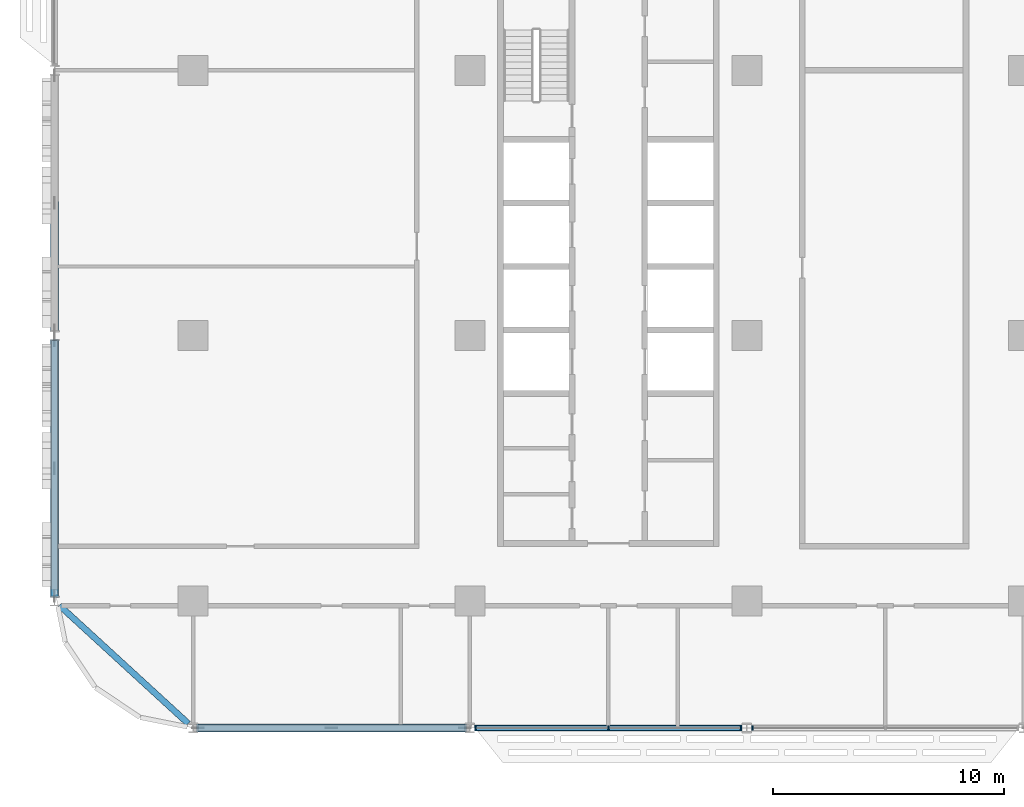
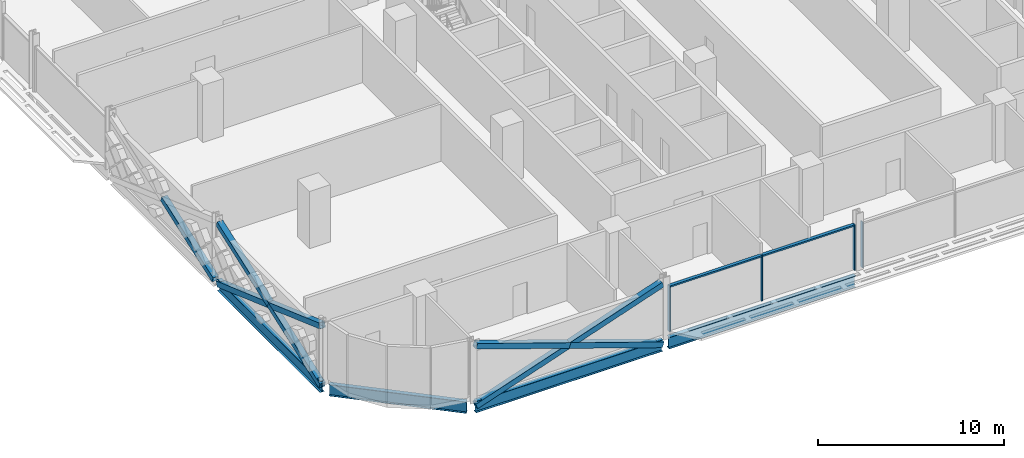
# One storey, part 3 of 29: 13 members, 4 beams, 2 elements without a shape of their own.
"""IFC4 building model written with IfcOpenShell, lengths in metres."""

import ifcopenshell
import ifcopenshell.guid

model = None  # the IFC model being written
_history = None  # IfcOwnerHistory: only IFC2X3 demands one
_inside = {}  # id of a spatial element -> (the spatial element, [elements in it])
_under = {}  # id of a project, library or spatial element -> (it, [spatial elements below it])
_declared = {}  # id of a project -> (the project, [libraries it declares])
_typed = {}  # id of a type object -> (the type object, [elements of that type])
_made_of = {}  # id of a material, layer set ... -> (it, [elements and type objects made of it])


def new_model(schema):
    """Start an empty IFC model of exactly this schema.

    Asked for "IFC4X3", IfcOpenShell would pick the latest addendum, in which some entities
    have other attributes; the version numbers below select the first issue.
    IFC2X3 requires an IfcOwnerHistory on every rooted entity: one is made here for all.
    """
    global model, _history
    if schema == "IFC4X3":
        model = ifcopenshell.file(schema_version=(4, 3, 0, 0))
    else:
        model = ifcopenshell.file(schema=schema)
    _inside.clear()
    _under.clear()
    _declared.clear()
    _typed.clear()
    _made_of.clear()
    _history = None
    if model.schema == "IFC2X3":
        org = make("IfcOrganization", Name="unknown")
        user = make(
            "IfcPersonAndOrganization",
            ThePerson=make("IfcPerson", FamilyName="unknown"),
            TheOrganization=org,
        )
        app = make(
            "IfcApplication",
            ApplicationDeveloper=org,
            Version="unknown",
            ApplicationFullName="unknown",
            ApplicationIdentifier="unknown",
        )
        _history = make(
            "IfcOwnerHistory",
            OwningUser=user,
            OwningApplication=app,
            ChangeAction="ADDED",
            CreationDate=0,
        )
    return model


def make(cls, **values):
    """One entity of the class cls with the attributes given. An attribute that is None is left unset."""
    return model.create_entity(
        cls, **{name: value for name, value in values.items() if value is not None}
    )


def rooted(cls, **values):
    """An entity with a GlobalId (a new one), such as an element, a storey or a relation."""
    return make(cls, GlobalId=ifcopenshell.guid.new(), OwnerHistory=_history, **values)


def si_unit(unit_type, name, prefix=None):
    """IfcSIUnit, for example si_unit("LENGTHUNIT", "METRE", prefix="MILLI")."""
    return make("IfcSIUnit", UnitType=unit_type, Prefix=prefix, Name=name)


def assignment(units):
    """IfcUnitAssignment: the units of a project."""
    return None if units is None else make("IfcUnitAssignment", Units=units)


def point(xyz):
    """IfcCartesianPoint."""
    return None if xyz is None else make("IfcCartesianPoint", Coordinates=xyz)


def direction(xyz):
    """IfcDirection."""
    return None if xyz is None else make("IfcDirection", DirectionRatios=xyz)


def frame(location, z_axis=None, x_axis=None):
    """IfcAxis2Placement3D, a coordinate frame: its origin and axes. An axis left out is left unset."""
    return make(
        "IfcAxis2Placement3D",
        Location=point(location),
        Axis=direction(z_axis),
        RefDirection=direction(x_axis),
    )


def frame_2d(location, x_axis=None):
    """IfcAxis2Placement2D, a coordinate frame in the plane: its origin and x axis."""
    return make(
        "IfcAxis2Placement2D", Location=point(location), RefDirection=direction(x_axis)
    )


def origin():
    """The frame at (0, 0, 0) with its axes left unset."""
    return frame((0.0, 0.0, 0.0))


def origin_2d():
    """The frame at (0, 0) in the plane with its x axis left unset."""
    return frame_2d((0.0, 0.0))


def place(relative_to, where):
    """IfcLocalPlacement: puts the frame where relative to a parent placement (None: the world)."""
    return make(
        "IfcLocalPlacement", PlacementRelTo=relative_to, RelativePlacement=where
    )


def context(
    kind, dimensions, precision=None, world=None, true_north=None, identifier=None
):
    """IfcGeometricRepresentationContext, for example the 3D "Model" context."""
    return make(
        "IfcGeometricRepresentationContext",
        ContextIdentifier=identifier,
        ContextType=kind,
        CoordinateSpaceDimension=dimensions,
        Precision=precision,
        WorldCoordinateSystem=world,
        TrueNorth=true_north,
    )


def subcontext(parent, identifier, kind, view, scale=None):
    """IfcGeometricRepresentationSubContext, for example "Body" below "Model"."""
    return make(
        "IfcGeometricRepresentationSubContext",
        ContextIdentifier=identifier,
        ContextType=kind,
        ParentContext=parent,
        TargetScale=scale,
        TargetView=view,
    )


def project(units=None, contexts=None):
    """IfcProject with its units and contexts."""
    return rooted(
        "IfcProject",
        Name="project",
        RepresentationContexts=contexts,
        UnitsInContext=assignment(units),
    )


def spatial(cls, under=None, at=None, **own):
    """A site, building, storey or space (cls), placed at a placement, below another one or the project."""
    s = rooted(cls, ObjectPlacement=at, **own)
    if under is not None:
        _under.setdefault(under.id(), (under, []))[1].append(s)
    return s


def profile(cls, at=None, kind="AREA", **sizes):
    """A parametric profile (cls). Its sizes go by their IFC names, for example OverallWidth=200.0."""
    return make(cls, ProfileType=kind, Position=at, **sizes)


def rectangle(**sizes):
    """IfcRectangleProfileDef."""
    return profile("IfcRectangleProfileDef", **sizes)


def hollow_rectangle(**sizes):
    """IfcRectangleHollowProfileDef."""
    return profile("IfcRectangleHollowProfileDef", **sizes)


def i_section(**sizes):
    """IfcIShapeProfileDef."""
    return profile("IfcIShapeProfileDef", **sizes)


def extrude(swept, where, along, depth):
    """IfcExtrudedAreaSolid: the profile swept, set in the frame where, extruded along a direction by depth."""
    return make(
        "IfcExtrudedAreaSolid",
        SweptArea=swept,
        Position=where,
        ExtrudedDirection=direction(along),
        Depth=depth,
    )


def shape(context_of_items, identifier, shape_type, items):
    """IfcShapeRepresentation: the items that make up one representation, for example the "Body"."""
    return make(
        "IfcShapeRepresentation",
        ContextOfItems=context_of_items,
        RepresentationIdentifier=identifier,
        RepresentationType=shape_type,
        Items=items,
    )


def material(Name=None, Category=None):
    """IfcMaterial."""
    return make("IfcMaterial", Name=Name, Category=Category)


def material_profile(
    of_material, cross_section, Name=None, Category=None, Priority=None
):
    """IfcMaterialProfile: a cross section and its material."""
    return make(
        "IfcMaterialProfile",
        Name=Name,
        Material=of_material,
        Profile=cross_section,
        Priority=Priority,
        Category=Category,
    )


def profile_set(profiles, Name=None, composite=None):
    """IfcMaterialProfileSet."""
    return make(
        "IfcMaterialProfileSet",
        Name=Name,
        MaterialProfiles=profiles,
        CompositeProfile=composite,
    )


def made_of(thing, what):
    """Note that an element or type object is made of a material, layer set ...; save() writes the relation."""
    if what is not None:
        _made_of.setdefault(what.id(), (what, []))[1].append(thing)
    return thing


def type_object(cls, material=None, **own):
    """A type object (cls), such as IfcWallType, which elements share."""
    return made_of(rooted(cls, **own), material)


def element(
    cls,
    number,
    at=None,
    inside=None,
    cuts=None,
    type_object=None,
    material=None,
    context=None,
    identifier="Body",
    shape_type=None,
    held_by="IfcProductDefinitionShape",
    body=None,
    shapes=None,
    **own,
):
    """One element of the class cls, such as IfcWall. Its Tag is "e" and its number.

    at: its placement. inside: the storey or other place that contains it. cuts: it is an
    opening in that element (IfcRelVoidsElement). A single representation is given by context,
    identifier, shape_type and body (its items); several are given by shapes. held_by: the class
    of the entity that holds the representations. save() writes the other relations.
    """
    e = rooted(cls, Tag="e%d" % number, ObjectPlacement=at, **own)
    if body is not None:
        shapes = [shape(context, identifier, shape_type, body)]
    if shapes is not None:
        e.Representation = make(held_by, Representations=shapes)
    if inside is not None:
        _inside.setdefault(inside.id(), (inside, []))[1].append(e)
    if cuts is not None:
        rooted(
            "IfcRelVoidsElement", RelatingBuildingElement=cuts, RelatedOpeningElement=e
        )
    if type_object is not None:
        _typed.setdefault(type_object.id(), (type_object, []))[1].append(e)
    return made_of(e, material)


def aggregate(whole, parts):
    """IfcRelAggregates: a whole, such as a stair, and the parts it consists of."""
    return rooted("IfcRelAggregates", RelatingObject=whole, RelatedObjects=parts)


def save(model, path):
    """Write the relations noted so far, then the file.

    IfcRelAggregates (storeys below a building ...), IfcRelContainedInSpatialStructure (elements
    in a storey), IfcRelDefinesByType, IfcRelAssociatesMaterial and IfcRelDeclares: one each for
    every whole, place, type object, material and project.
    """
    for whole, parts in _under.values():
        aggregate(whole, parts)
    for where, things in _inside.values():
        rooted(
            "IfcRelContainedInSpatialStructure",
            RelatedElements=things,
            RelatingStructure=where,
        )
    for kind, things in _typed.values():
        rooted("IfcRelDefinesByType", RelatedObjects=things, RelatingType=kind)
    for what, things in _made_of.values():
        rooted("IfcRelAssociatesMaterial", RelatedObjects=things, RelatingMaterial=what)
    for by, libraries in _declared.values():
        rooted("IfcRelDeclares", RelatingContext=by, RelatedDefinitions=libraries)
    model.write(path)


model = new_model("IFC4")

# Units and contexts
model_context = context("Model", 3, precision=1e-05, world=origin(), true_north=direction((0.0, 1.0)))
body_context = subcontext(model_context, "Body", "Model", "MODEL_VIEW")
ifc_project = project(units=[si_unit("LENGTHUNIT", "METRE"), si_unit("AREAUNIT", "SQUARE_METRE"), si_unit("VOLUMEUNIT", "CUBIC_METRE"), si_unit("PLANEANGLEUNIT", "RADIAN"), si_unit("MASSUNIT", "GRAM", prefix="KILO")], contexts=[model_context])

# Site, building, storey
site_placement = place(None, origin())
site = spatial("IfcSite", under=ifc_project, at=site_placement, CompositionType="ELEMENT")
building_placement = place(site_placement, origin())
building = spatial("IfcBuilding", under=site, at=building_placement, Name="Mahtab Terrace Research Tower", CompositionType="ELEMENT")
storey_placement = place(building_placement, frame((0.0, 0.0, 142.5)))
storey = spatial("IfcBuildingStorey", under=building, at=storey_placement, Name="L33", CompositionType="ELEMENT", Elevation=142.5)

# Members
ifc_material_1 = material(Name="Steel ASTM A500 Gr C", Category="steel")
ifc_material_profile_1 = material_profile(ifc_material_1, hollow_rectangle(XDim=0.355712890625, YDim=0.355712890625, WallThickness=0.01904296875, at=origin_2d()), Name="HSS14X14X3/4")
ifc_profile_set_1 = profile_set([ifc_material_profile_1], Name="Steel ASTM A500 Gr C")
member_type_1 = type_object("IfcMemberType", Name="HSS 14x14x3/4 brace XB141434", PredefinedType="BRACE", material=ifc_profile_set_1)
member_1_placement = place(storey_placement, frame((-48.0, 0.217041015625, -0.64111328125), z_axis=(0.0, 0.941925134484, 0.335822931061), x_axis=(-1.0, 0.0, 0.0)))
element("IfcMember", 1, at=member_1_placement, inside=storey, type_object=member_type_1, Name="Exoskeleton brace L33 11 b1", PredefinedType="BRACE", context=body_context, shape_type="SweptSolid", body=[
    extrude(hollow_rectangle(XDim=0.355712890625, YDim=0.355712890625, WallThickness=0.01904296875, at=origin_2d()), origin(), (0.0, 0.0, 1.0), 5.8740234375),
])
member_2_placement = place(storey_placement, frame((-48.0, -0.217041015625, -0.64111328125), z_axis=(0.0, -0.941925134484, 0.335822931061), x_axis=(1.0, 0.0, 0.0)))
element("IfcMember", 2, at=member_2_placement, inside=storey, type_object=member_type_1, Name="Exoskeleton brace L33 12 a", PredefinedType="BRACE", context=body_context, shape_type="SweptSolid", body=[
    extrude(hollow_rectangle(XDim=0.355712890625, YDim=0.355712890625, WallThickness=0.01904296875, at=origin_2d()), origin(), (0.0, 0.0, 1.0), 11.748291015625),
])
for number, where, z_axis, x_axis, name in (
    (3, (-48.0, -11.282958984375, -0.64111328125), (0.0, 0.941925134484, 0.335822931061), (-1.0, 0.0, 0.0), "Exoskeleton brace L33 12 b1"),
    (4, (-48.0, -5.75, 1.33154296875), (0.0, 0.941925134484, 0.335822931061), (-1.0, 0.0, 0.0), "Exoskeleton brace L33 12 b2"),
):
    element("IfcMember", number, at=place(storey_placement, frame(where, z_axis=z_axis, x_axis=x_axis)), inside=storey, type_object=member_type_1, Name=name, PredefinedType="BRACE", context=body_context, shape_type="SweptSolid", body=[
        extrude(hollow_rectangle(XDim=0.355712890625, YDim=0.355712890625, WallThickness=0.01904296875, at=origin_2d()), origin(), (0.0, 0.0, 1.0), 5.8740234375),
    ])
member_3_placement = place(storey_placement, frame((-41.794189453125, -17.0, -0.648193359375), z_axis=(0.946288278, 0.0, 0.323324132908), x_axis=(0.0, 1.0, 0.0)))
element("IfcMember", 5, at=member_3_placement, inside=storey, type_object=member_type_1, Name="Exoskeleton brace L33 14 a", PredefinedType="BRACE", context=body_context, shape_type="SweptSolid", body=[
    extrude(hollow_rectangle(XDim=0.355712890625, YDim=0.355712890625, WallThickness=0.01904296875, at=origin_2d()), origin(), (0.0, 0.0, 1.0), 12.24609375),
])
for number, where, z_axis, x_axis, name in (
    (6, (-30.205810546875, -17.0, -0.648193359375), (-0.946288278, 0.0, 0.323324132908), (0.0, -1.0, 0.0), "Exoskeleton brace L33 14 b1"),
    (7, (-36.0, -17.0, 1.33154296875), (-0.946288278, 0.0, 0.323324132908), (0.0, -1.0, 0.0), "Exoskeleton brace L33 14 b2"),
):
    element("IfcMember", number, at=place(storey_placement, frame(where, z_axis=z_axis, x_axis=x_axis)), inside=storey, type_object=member_type_1, Name=name, PredefinedType="BRACE", context=body_context, shape_type="SweptSolid", body=[
        extrude(hollow_rectangle(XDim=0.355712890625, YDim=0.355712890625, WallThickness=0.01904296875, at=origin_2d()), origin(), (0.0, 0.0, 1.0), 6.123046875),
    ])

# Curtain wall, members
ifc_material_2 = material(Name="Laboratory ribbon curtain wall")
curtain_wall_type = type_object("IfcCurtainWallType", Name="Laboratory ribbon curtain wall", PredefinedType="NOTDEFINED", material=ifc_material_2)
curtain_wall_1_placement = place(storey_placement, origin())
curtain_wall_1 = element("IfcCurtainWall", 8, at=curtain_wall_1_placement, inside=storey, type_object=curtain_wall_type, Name="EN.L33.13.25", PredefinedType="NOTDEFINED")
ifc_material_3 = material(Name="Natural anodised aluminium", Category="aluminium")
ifc_material_profile_2 = material_profile(ifc_material_3, rectangle(XDim=0.199951171875, YDim=0.06494140625, at=origin_2d()), Name="MULLION 65x200")
ifc_profile_set_2 = profile_set([ifc_material_profile_2], Name="Natural anodised aluminium")
member_type_2 = type_object("IfcMemberType", Name="Laboratory ribbon curtain wall mullion", PredefinedType="MULLION", material=ifc_profile_set_2)
member_4_placement = place(storey_placement, frame((-29.74951171875, -17.0, 0.0), z_axis=(0.0, 0.0, 1.0), x_axis=(0.0, 1.0, 0.0)))
member_4 = element("IfcMember", 9, at=member_4_placement, type_object=member_type_2, Name="CWL-4 mullion 1", PredefinedType="MULLION", context=body_context, shape_type="SweptSolid", body=[
    extrude(rectangle(XDim=0.199951171875, YDim=0.06494140625, at=origin_2d()), origin(), (0.0, 0.0, 1.0), 3.003173828125),
])
member_5_placement = place(storey_placement, frame((-24.0, -17.0, 0.0), z_axis=(0.0, 0.0, 1.0), x_axis=(0.0, 1.0, 0.0)))
member_5 = element("IfcMember", 10, at=member_5_placement, type_object=member_type_2, Name="CWL-4 mullion 2", PredefinedType="MULLION", context=body_context, shape_type="SweptSolid", body=[
    extrude(rectangle(XDim=0.199951171875, YDim=0.06494140625, at=origin_2d()), origin(), (0.0, 0.0, 1.0), 3.003173828125),
])
member_6_placement = place(storey_placement, frame((-18.25048828125, -17.0, 0.0), z_axis=(0.0, 0.0, 1.0), x_axis=(0.0, 1.0, 0.0)))
member_6 = element("IfcMember", 11, at=member_6_placement, type_object=member_type_2, Name="CWL-4 mullion 3", PredefinedType="MULLION", context=body_context, shape_type="SweptSolid", body=[
    extrude(rectangle(XDim=0.199951171875, YDim=0.06494140625, at=origin_2d()), origin(), (0.0, 0.0, 1.0), 3.003173828125),
])

# Curtain wall, member
curtain_wall_2_placement = place(storey_placement, origin())
curtain_wall_2 = element("IfcCurtainWall", 12, at=curtain_wall_2_placement, inside=storey, type_object=curtain_wall_type, Name="EN.L33.13.26", PredefinedType="NOTDEFINED")
member_7_placement = place(storey_placement, frame((-17.74951171875, -17.0, 0.0), z_axis=(0.0, 0.0, 1.0), x_axis=(0.0, 1.0, 0.0)))
member_7 = element("IfcMember", 13, at=member_7_placement, type_object=member_type_2, Name="CWL-4 mullion 1", PredefinedType="MULLION", context=body_context, shape_type="SweptSolid", body=[
    extrude(rectangle(XDim=0.199951171875, YDim=0.06494140625, at=origin_2d()), origin(), (0.0, 0.0, 1.0), 3.003173828125),
])
aggregate(curtain_wall_2, [member_7])

# Member
ifc_material_profile_3 = material_profile(ifc_material_3, rectangle(XDim=0.199951171875, YDim=0.10009765625, at=origin_2d()), Name="TRANSOM 100x200")
ifc_profile_set_3 = profile_set([ifc_material_profile_3], Name="Natural anodised aluminium")
member_type_3 = type_object("IfcMemberType", Name="Laboratory ribbon curtain wall transom", PredefinedType="USERDEFINED", material=ifc_profile_set_3)
member_8_placement = place(storey_placement, frame((-29.717041015625, -17.0, 2.953125), z_axis=(1.0, 0.0, 0.0), x_axis=(0.0, 1.0, 0.0)))
member_8 = element("IfcMember", 14, at=member_8_placement, type_object=member_type_3, Name="CWL-4 transom 1", ObjectType="TRANSOM", PredefinedType="USERDEFINED", context=body_context, shape_type="SweptSolid", body=[
    extrude(rectangle(XDim=0.199951171875, YDim=0.10009765625, at=origin_2d()), origin(), (0.0, 0.0, 1.0), 5.6845703125),
])

member_9_placement = place(storey_placement, frame((-23.967529296875, -17.0, 2.953125), z_axis=(1.0, 0.0, 0.0), x_axis=(0.0, 1.0, 0.0)))
member_9 = element("IfcMember", 15, at=member_9_placement, type_object=member_type_3, Name="CWL-4 transom 2", ObjectType="TRANSOM", PredefinedType="USERDEFINED", context=body_context, shape_type="SweptSolid", body=[
    extrude(rectangle(XDim=0.199951171875, YDim=0.10009765625, at=origin_2d()), origin(), (0.0, 0.0, 1.0), 5.6845703125),
])

aggregate(curtain_wall_1, [member_4, member_5, member_6, member_8, member_9])

# Beams
ifc_material_4 = material(Name="Steel ASTM A992 Gr 50", Category="steel")
ifc_material_profile_4 = material_profile(ifc_material_4, i_section(OverallWidth=0.2666015625, OverallDepth=0.7568359375, WebThickness=0.013916015625, FlangeThickness=0.019287109375, at=origin_2d()), Name="W30X108")
ifc_profile_set_4 = profile_set([ifc_material_profile_4], Name="Steel ASTM A992 Gr 50")
beam_type = type_object("IfcBeamType", Name="W30x108 beam BS30108", PredefinedType="BEAM", material=ifc_profile_set_4)
beam_1_placement = place(storey_placement, frame((-48.0, -0.217041015625, -0.718505859375), z_axis=(0.0, -1.0, 0.0), x_axis=(1.0, 0.0, 0.0)))
element("IfcBeam", 16, at=beam_1_placement, inside=storey, type_object=beam_type, Name="Spandrel beam L33 12", PredefinedType="BEAM", context=body_context, shape_type="SweptSolid", body=[
    extrude(i_section(OverallWidth=0.2666015625, OverallDepth=0.7568359375, WebThickness=0.013916015625, FlangeThickness=0.019287109375, at=origin_2d()), origin(), (0.0, 0.0, 1.0), 11.06591796875),
])
beam_2_placement = place(storey_placement, frame((-47.794189453125, -11.688720703125, -0.718505859375), z_axis=(0.737162160905, -0.675715878554, 0.0), x_axis=(0.675715878554, 0.737162160905, 0.0)))
element("IfcBeam", 17, at=beam_2_placement, inside=storey, type_object=beam_type, Name="Spandrel beam L33 13", PredefinedType="BEAM", context=body_context, shape_type="SweptSolid", body=[
    extrude(i_section(OverallWidth=0.2666015625, OverallDepth=0.7568359375, WebThickness=0.013916015625, FlangeThickness=0.019287109375, at=origin_2d()), origin(), (0.0, 0.0, 1.0), 7.5810546875),
])
for number, where, z_axis, x_axis, name in (
    (18, (-41.794189453125, -17.0, -0.718505859375), (1.0, 0.0, 0.0), (0.0, 1.0, 0.0), "Spandrel beam L33 14"),
    (19, (-29.794189453125, -17.0, -0.718505859375), (1.0, 0.0, 0.0), (0.0, 1.0, 0.0), "Spandrel beam L33 15"),
):
    element("IfcBeam", number, at=place(storey_placement, frame(where, z_axis=z_axis, x_axis=x_axis)), inside=storey, type_object=beam_type, Name=name, PredefinedType="BEAM", context=body_context, shape_type="SweptSolid", body=[
        extrude(i_section(OverallWidth=0.2666015625, OverallDepth=0.7568359375, WebThickness=0.013916015625, FlangeThickness=0.019287109375, at=origin_2d()), origin(), (0.0, 0.0, 1.0), 11.58837890625),
    ])

save(model, "model.ifc")
